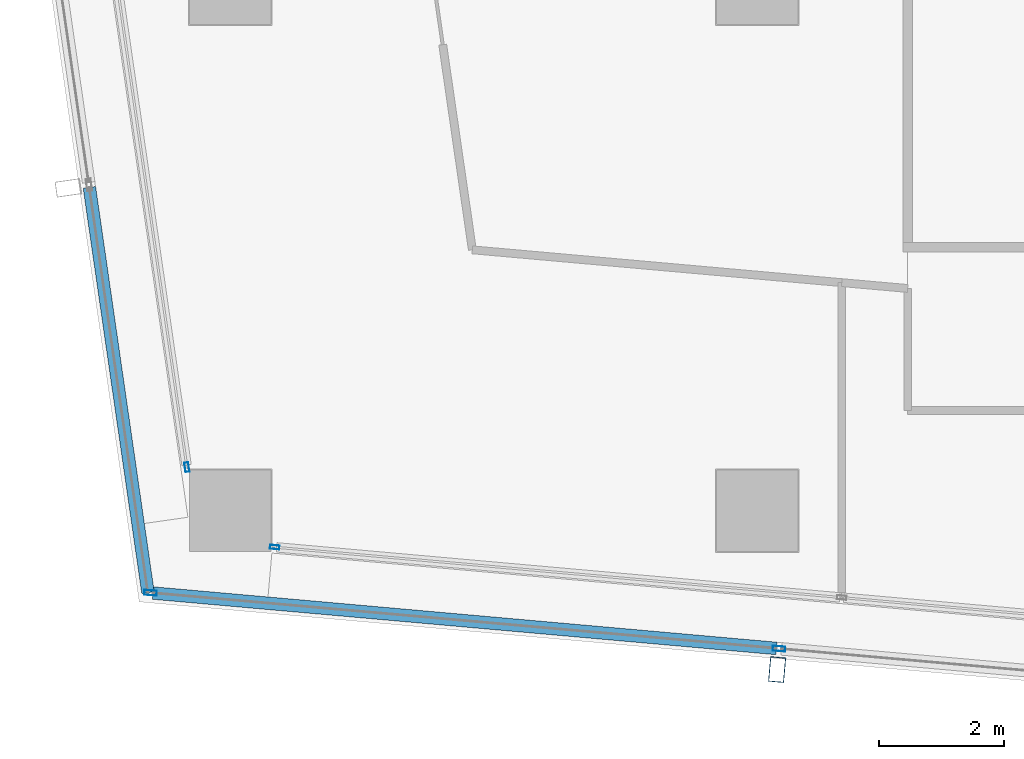
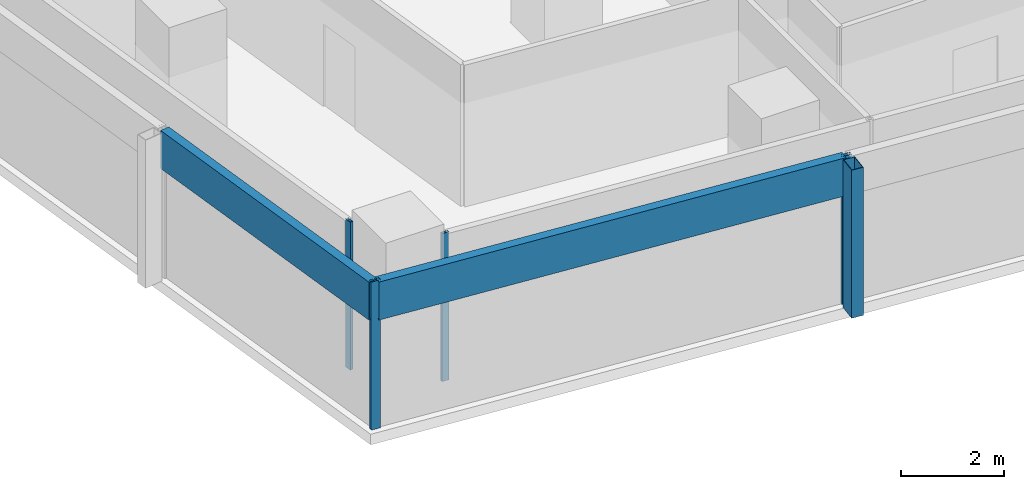
# One storey, part 2 of 28: 7 members, 4 elements without a shape of their own.
"""IFC4 building model written with IfcOpenShell, lengths in metres."""

from ifc_helpers import new_model, si_unit, direction, frame, origin, origin_2d, place, context, subcontext, project, spatial, hollow_rectangle, extrude, material, material_profile, profile_set, type_object, element, aggregate, save


model = new_model("IFC4")

# Units and contexts
model_context = context("Model", 3, precision=1e-05, world=origin(), true_north=direction((0.0, 1.0)))
body_context = subcontext(model_context, "Body", "Model", "MODEL_VIEW")
ifc_project = project(units=[si_unit("LENGTHUNIT", "METRE"), si_unit("AREAUNIT", "SQUARE_METRE"), si_unit("VOLUMEUNIT", "CUBIC_METRE"), si_unit("PLANEANGLEUNIT", "RADIAN"), si_unit("MASSUNIT", "GRAM", prefix="KILO")], contexts=[model_context])

# Site, building, storey
site_placement = place(None, origin())
site = spatial("IfcSite", under=ifc_project, at=site_placement, CompositionType="ELEMENT")
building_placement = place(site_placement, origin())
building = spatial("IfcBuilding", under=site, at=building_placement, Name="Rekha Terrace Tower", CompositionType="ELEMENT")
storey_placement = place(building_placement, frame((0.0, 0.0, 253.85009765625)))
storey = spatial("IfcBuildingStorey", under=building, at=storey_placement, Name="L64", CompositionType="ELEMENT", Elevation=253.85009765625)

# Curtain wall, member
ifc_material_1 = material(Name="Aluminium framing", Category="aluminium")
curtain_wall_type_1 = type_object("IfcCurtainWallType", Name="CW2 double skin outer glazing", PredefinedType="USERDEFINED", material=ifc_material_1)
curtain_wall_1_placement = place(storey_placement, origin())
curtain_wall_1 = element("IfcCurtainWall", 1, at=curtain_wall_1_placement, inside=storey, type_object=curtain_wall_type_1, Name="CW2 double skin outer glazing", ObjectType="DOUBLE SKIN OUTER GLAZING", PredefinedType="USERDEFINED")
ifc_material_2 = material(Name="Steel S355 with fluorocarbon finish", Category="steel")
ifc_material_profile_1 = material_profile(ifc_material_2, hollow_rectangle(XDim=0.25, YDim=0.39990234375, WallThickness=0.012451171875, at=origin_2d()), Name="RHS400x250x12.5")
ifc_profile_set_1 = profile_set([ifc_material_profile_1], Name="Steel S355 with fluorocarbon finish")
member_type_1 = type_object("IfcMemberType", Name="BL1 facade blade RHS 400 x 250", PredefinedType="USERDEFINED", material=ifc_profile_set_1)
member_1_placement = place(storey_placement, frame((17.118896484375, 14.2705078125, 0.0), z_axis=(0.0, 0.0, 1.0), x_axis=(0.996074197996, -0.088522268879, 0.0)))
member_1 = element("IfcMember", 2, at=member_1_placement, type_object=member_type_1, Name="Facade blade", ObjectType="FACADE BLADE", PredefinedType="USERDEFINED", context=body_context, shape_type="SweptSolid", body=[
    extrude(hollow_rectangle(XDim=0.25, YDim=0.39990234375, WallThickness=0.012451171875, at=origin_2d()), origin(), (0.0, 0.0, 1.0), 3.5),
])

curtain_wall_type_2 = type_object("IfcCurtainWallType", Name="CW1 double skin inner glazing", PredefinedType="USERDEFINED", material=ifc_material_1)
curtain_wall_2_placement = place(storey_placement, origin())
curtain_wall_2 = element("IfcCurtainWall", 3, at=curtain_wall_2_placement, inside=storey, type_object=curtain_wall_type_2, Name="CW1 double skin inner glazing", ObjectType="DOUBLE SKIN INNER GLAZING", PredefinedType="USERDEFINED")
ifc_material_3 = material(Name="Aluminium mullion section", Category="aluminium")
ifc_material_profile_2 = material_profile(ifc_material_3, hollow_rectangle(XDim=0.06494140625, YDim=0.14990234375, WallThickness=0.00390625, at=origin_2d()), Name="AL RHS 65x150")
ifc_profile_set_2 = profile_set([ifc_material_profile_2], Name="Aluminium mullion section")
member_type_2 = type_object("IfcMemberType", Name="CW1 mullion RHS 65 x 150", PredefinedType="MULLION", material=ifc_profile_set_2)
member_2_placement = place(storey_placement, frame((9.109130859375, 16.222412109375, 0.0), z_axis=(0.0, 0.0, 1.0), x_axis=(0.088522441405, 0.996074182663, 0.0)))
member_2 = element("IfcMember", 4, at=member_2_placement, type_object=member_type_2, Name="CW1 mullion 1", PredefinedType="MULLION", context=body_context, shape_type="SweptSolid", body=[
    extrude(hollow_rectangle(XDim=0.06494140625, YDim=0.14990234375, WallThickness=0.00390625, at=origin_2d()), origin(), (0.0, 0.0, 1.0), 3.5),
])
aggregate(curtain_wall_2, [member_2])

curtain_wall_3_placement = place(storey_placement, origin())
curtain_wall_3 = element("IfcCurtainWall", 5, at=curtain_wall_3_placement, inside=storey, type_object=curtain_wall_type_2, Name="CW1 double skin inner glazing", ObjectType="DOUBLE SKIN INNER GLAZING", PredefinedType="USERDEFINED")
member_3_placement = place(storey_placement, frame((7.71044921875, 17.497314453125, 0.0), z_axis=(0.0, 0.0, 1.0), x_axis=(0.989707031394, 0.143108322643, 0.0)))
member_3 = element("IfcMember", 6, at=member_3_placement, type_object=member_type_2, Name="CW1 mullion 2", PredefinedType="MULLION", context=body_context, shape_type="SweptSolid", body=[
    extrude(hollow_rectangle(XDim=0.06494140625, YDim=0.14990234375, WallThickness=0.00390625, at=origin_2d()), origin(), (0.0, 0.0, 1.0), 3.5),
])
aggregate(curtain_wall_3, [member_3])

# Member
ifc_material_profile_3 = material_profile(ifc_material_3, hollow_rectangle(XDim=0.080078125, YDim=0.199951171875, WallThickness=0.00390625, at=origin_2d()), Name="AL RHS 80x200")
ifc_profile_set_3 = profile_set([ifc_material_profile_3], Name="Aluminium mullion section")
member_type_3 = type_object("IfcMemberType", Name="CW2 mullion RHS 80 x 200", PredefinedType="MULLION", material=ifc_profile_set_3)
member_4_placement = place(storey_placement, frame((7.130126953125, 15.49462890625, 0.0), z_axis=(0.0, 0.0, 1.0), x_axis=(0.088522441457, 0.996074182658, 0.0)))
member_4 = element("IfcMember", 7, at=member_4_placement, type_object=member_type_3, Name="CW2 mullion 1", PredefinedType="MULLION", context=body_context, shape_type="SweptSolid", body=[
    extrude(hollow_rectangle(XDim=0.080078125, YDim=0.199951171875, WallThickness=0.00390625, at=origin_2d()), origin(), (0.0, 0.0, 1.0), 3.5),
])

member_5_placement = place(storey_placement, frame((17.1484375, 14.604248046875, 0.0), z_axis=(0.0, 0.0, 1.0), x_axis=(0.088522441457, 0.996074182658, 0.0)))
member_5 = element("IfcMember", 8, at=member_5_placement, type_object=member_type_3, Name="CW2 mullion 2", PredefinedType="MULLION", context=body_context, shape_type="SweptSolid", body=[
    extrude(hollow_rectangle(XDim=0.080078125, YDim=0.199951171875, WallThickness=0.00390625, at=origin_2d()), origin(), (0.0, 0.0, 1.0), 3.5),
])

ifc_material_4 = material(Name="Insulated aluminium spandrel box", Category="aluminium")
ifc_material_profile_4 = material_profile(ifc_material_4, hollow_rectangle(XDim=0.199951171875, YDim=0.89990234375, WallThickness=0.0029296875, at=origin_2d()), Name="AL SPANDREL BOX 200x900")
ifc_profile_set_4 = profile_set([ifc_material_profile_4], Name="Insulated aluminium spandrel box")
member_type_4 = type_object("IfcMemberType", Name="CW2 spandrel transom 200 x 900", PredefinedType="USERDEFINED", material=ifc_profile_set_4)
member_6_placement = place(storey_placement, frame((7.169921875, 15.490966796875, 3.0498046875), z_axis=(0.996076044645, -0.088501487472, 0.0), x_axis=(0.088501487472, 0.996076044645, 0.0)))
member_6 = element("IfcMember", 9, at=member_6_placement, type_object=member_type_4, Name="CW2 spandrel transom 1", ObjectType="TRANSOM", PredefinedType="USERDEFINED", context=body_context, shape_type="SweptSolid", body=[
    extrude(hollow_rectangle(XDim=0.199951171875, YDim=0.89990234375, WallThickness=0.0029296875, at=origin_2d()), origin(), (0.0, 0.0, 1.0), 9.977783203125),
])

aggregate(curtain_wall_1, [member_4, member_5, member_6, member_1])

# Curtain wall, member
curtain_wall_4_placement = place(storey_placement, origin())
curtain_wall_4 = element("IfcCurtainWall", 10, at=curtain_wall_4_placement, inside=storey, type_object=curtain_wall_type_1, Name="CW2 double skin outer glazing", ObjectType="DOUBLE SKIN OUTER GLAZING", PredefinedType="USERDEFINED")
member_7_placement = place(storey_placement, frame((6.15625, 21.95703125, 3.0498046875), z_axis=(0.143128512687, -0.989704111771, 0.0), x_axis=(0.989704111771, 0.143128512687, 0.0)))
member_7 = element("IfcMember", 11, at=member_7_placement, type_object=member_type_4, Name="CW2 spandrel transom 2", ObjectType="TRANSOM", PredefinedType="USERDEFINED", context=body_context, shape_type="SweptSolid", body=[
    extrude(hollow_rectangle(XDim=0.199951171875, YDim=0.89990234375, WallThickness=0.0029296875, at=origin_2d()), origin(), (0.0, 0.0, 1.0), 6.526123046875),
])
aggregate(curtain_wall_4, [member_7])

save(model, "model.ifc")
